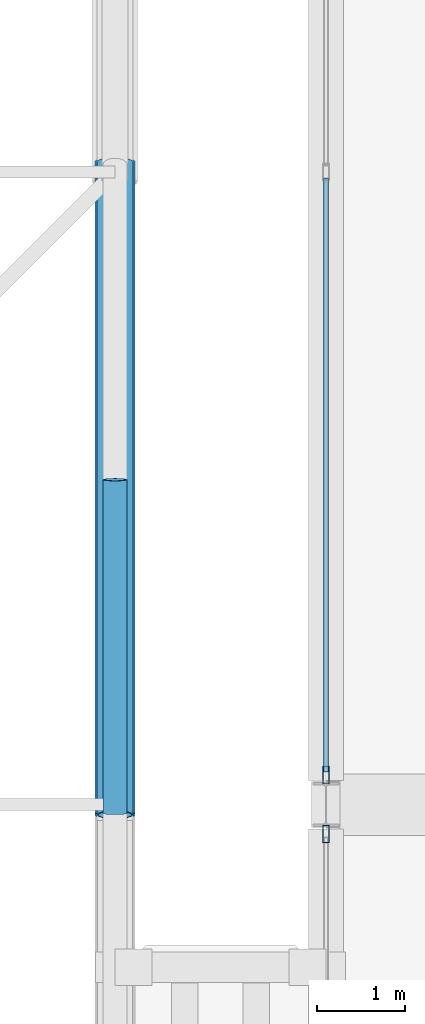
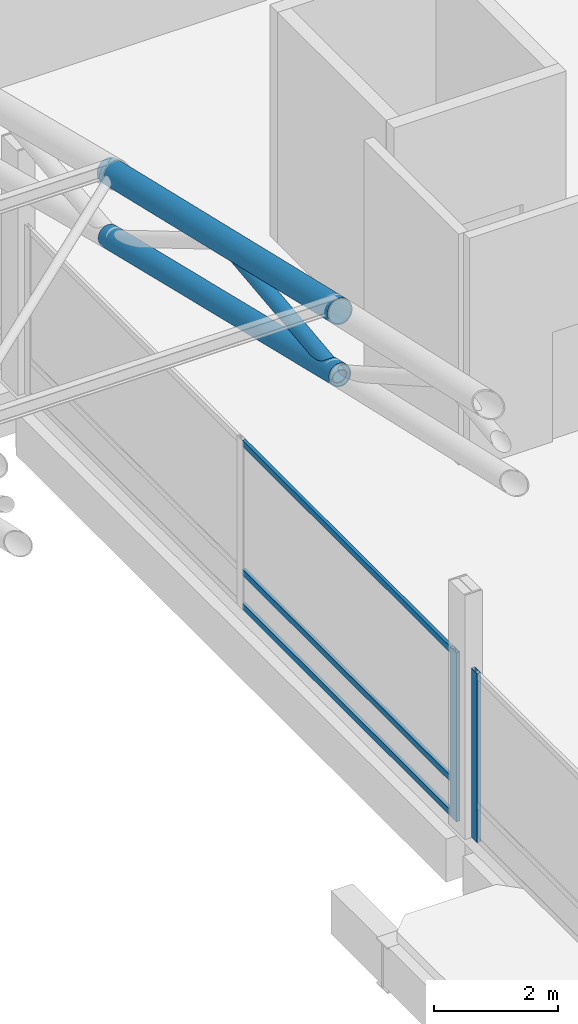
# One storey, part 55 of 193: 8 members, 2 elements without a shape of their own.
"""IFC4 building model written with IfcOpenShell, lengths in metres."""

from ifc_helpers import new_model, si_unit, direction, frame, origin, origin_2d, place, context, subcontext, project, spatial, hollow_rectangle, hollow_circle, extrude, material, material_profile, profile_set, type_object, element, aggregate, save


model = new_model("IFC4")

# Units and contexts
model_context = context("Model", 3, precision=1e-05, world=origin(), true_north=direction((0.0, 1.0)))
body_context = subcontext(model_context, "Body", "Model", "MODEL_VIEW")
ifc_project = project(units=[si_unit("LENGTHUNIT", "METRE"), si_unit("AREAUNIT", "SQUARE_METRE"), si_unit("VOLUMEUNIT", "CUBIC_METRE"), si_unit("PLANEANGLEUNIT", "RADIAN"), si_unit("MASSUNIT", "GRAM", prefix="KILO")], contexts=[model_context])

# Site, building, storey
site_placement = place(None, origin())
site = spatial("IfcSite", under=ifc_project, at=site_placement, CompositionType="ELEMENT")
building_placement = place(site_placement, origin())
building = spatial("IfcBuilding", under=site, at=building_placement, Name="Cendralis Lancet Convention Centre", CompositionType="ELEMENT")
storey_placement = place(building_placement, frame((0.0, 0.0, 10.199951171875)))
storey = spatial("IfcBuildingStorey", under=building, at=storey_placement, Name="L02", CompositionType="ELEMENT", Elevation=10.199951171875)

# Curtain wall, member
ifc_material_1 = material(Name="Anodised bronze architectural aluminium", Category="aluminium")
curtain_wall_type = type_object("IfcCurtainWallType", Name="ARC-CW-BL01", PredefinedType="USERDEFINED", material=ifc_material_1)
curtain_wall_1_placement = place(storey_placement, origin())
curtain_wall_1 = element("IfcCurtainWall", 1, at=curtain_wall_1_placement, inside=storey, type_object=curtain_wall_type, Name="L02 Curtain Wall CW-BL1 #157", ObjectType="CURTAIN WALL", PredefinedType="USERDEFINED")
ifc_material_profile_1 = material_profile(ifc_material_1, hollow_rectangle(XDim=0.070068359375, YDim=0.199951171875, WallThickness=0.0048828125, at=origin_2d()), Name="AL-MULL 70x200x5.0")
ifc_profile_set_1 = profile_set([ifc_material_profile_1], Name="Anodised bronze architectural aluminium")
member_type_1 = type_object("IfcMemberType", Name="ARC-CW-ML02", PredefinedType="MULLION", material=ifc_profile_set_1)
member_1_placement = place(storey_placement, frame((124.800048828125, 107.6650390625, 0.0), z_axis=(0.0, 0.0, 1.0), x_axis=(1.0, 0.0, 0.0)))
member_1 = element("IfcMember", 2, at=member_1_placement, type_object=member_type_1, Name="Mullion CW2-CW-BL1-L02-157-M2", PredefinedType="MULLION", context=body_context, shape_type="SweptSolid", body=[
    extrude(hollow_rectangle(XDim=0.070068359375, YDim=0.199951171875, WallThickness=0.0048828125, at=origin_2d()), origin(), (0.0, 0.0, 1.0), 3.324951171875),
])
aggregate(curtain_wall_1, [member_1])

# Curtain wall, members
curtain_wall_2_placement = place(storey_placement, origin())
curtain_wall_2 = element("IfcCurtainWall", 3, at=curtain_wall_2_placement, inside=storey, type_object=curtain_wall_type, Name="L02 Curtain Wall CW-BL1 #158", ObjectType="CURTAIN WALL", PredefinedType="USERDEFINED")
member_2_placement = place(storey_placement, frame((124.800048828125, 108.3349609375, 0.0), z_axis=(0.0, 0.0, 1.0), x_axis=(1.0, 0.0, 0.0)))
member_2 = element("IfcMember", 4, at=member_2_placement, type_object=member_type_1, Name="Mullion CW2-CW-BL1-L02-158-M0", PredefinedType="MULLION", context=body_context, shape_type="SweptSolid", body=[
    extrude(hollow_rectangle(XDim=0.070068359375, YDim=0.199951171875, WallThickness=0.0048828125, at=origin_2d()), origin(), (0.0, 0.0, 1.0), 3.324951171875),
])
ifc_material_profile_2 = material_profile(ifc_material_1, hollow_rectangle(XDim=0.06005859375, YDim=0.1201171875, WallThickness=0.00390625, at=origin_2d()), Name="AL-TRAN 60x120x4.0")
ifc_profile_set_2 = profile_set([ifc_material_profile_2], Name="Anodised bronze architectural aluminium")
member_type_2 = type_object("IfcMemberType", Name="ARC-CW-TR01", PredefinedType="USERDEFINED", material=ifc_profile_set_2)
member_3_placement = place(storey_placement, frame((124.800048828125, 108.3701171875, 0.06005859375), z_axis=(0.0, 1.0, 0.0), x_axis=(-1.0, 0.0, 0.0)))
member_3 = element("IfcMember", 5, at=member_3_placement, type_object=member_type_2, Name="Transom CW2-CW-BL1-L02-158-T0BOT", ObjectType="TRANSOM", PredefinedType="USERDEFINED", context=body_context, shape_type="SweptSolid", body=[
    extrude(hollow_rectangle(XDim=0.06005859375, YDim=0.1201171875, WallThickness=0.00390625, at=origin_2d()), origin(), (0.0, 0.0, 1.0), 6.759765625),
])
member_4_placement = place(storey_placement, frame((124.800048828125, 108.3701171875, 0.7314453125), z_axis=(0.0, 1.0, 0.0), x_axis=(-1.0, 0.0, 0.0)))
member_4 = element("IfcMember", 6, at=member_4_placement, type_object=member_type_2, Name="Transom CW2-CW-BL1-L02-158-T0MID", ObjectType="TRANSOM", PredefinedType="USERDEFINED", context=body_context, shape_type="SweptSolid", body=[
    extrude(hollow_rectangle(XDim=0.06005859375, YDim=0.1201171875, WallThickness=0.00390625, at=origin_2d()), origin(), (0.0, 0.0, 1.0), 6.759765625),
])
member_5_placement = place(storey_placement, frame((124.800048828125, 108.3701171875, 3.26513671875), z_axis=(0.0, 1.0, 0.0), x_axis=(-1.0, 0.0, 0.0)))
member_5 = element("IfcMember", 7, at=member_5_placement, type_object=member_type_2, Name="Transom CW2-CW-BL1-L02-158-T0TOP", ObjectType="TRANSOM", PredefinedType="USERDEFINED", context=body_context, shape_type="SweptSolid", body=[
    extrude(hollow_rectangle(XDim=0.06005859375, YDim=0.1201171875, WallThickness=0.00390625, at=origin_2d()), origin(), (0.0, 0.0, 1.0), 6.759765625),
])
aggregate(curtain_wall_2, [member_2, member_3, member_4, member_5])

# Members
ifc_material_2 = material(Name="Steel S355", Category="steel")
ifc_material_profile_3 = material_profile(ifc_material_2, hollow_circle(Radius=0.203125, WallThickness=0.01611328125, at=origin_2d()), Name="CHS 406.4x16.0")
ifc_profile_set_3 = profile_set([ifc_material_profile_3], Name="Steel S355")
member_type_3 = type_object("IfcMemberType", Name="STR-TR-BC01", PredefinedType="CHORD", material=ifc_profile_set_3)
member_6_placement = place(storey_placement, frame((122.39990234375, 107.88330078125, 9.834228515625), z_axis=(0.0, 0.97248347478, -0.232971868002), x_axis=(-1.0, 0.0, 0.0)))
element("IfcMember", 8, at=member_6_placement, inside=storey, type_object=member_type_3, Name="ROOF TRUSS AT-V1-15 Bottom Chord 08", PredefinedType="CHORD", context=body_context, shape_type="SweptSolid", body=[
    extrude(hollow_circle(Radius=0.203125, WallThickness=0.01611328125, at=origin_2d()), origin(), (0.0, 0.0, 1.0), 7.643798828125),
])
ifc_material_profile_4 = material_profile(ifc_material_2, hollow_circle(Radius=0.228515625, WallThickness=0.02001953125, at=origin_2d()), Name="CHS 457.0x20.0")
ifc_profile_set_4 = profile_set([ifc_material_profile_4], Name="Steel S355")
member_type_4 = type_object("IfcMemberType", Name="STR-TR-TC01B", PredefinedType="CHORD", material=ifc_profile_set_4)
member_7_placement = place(storey_placement, frame((122.39990234375, 107.88330078125, 11.084228515625), z_axis=(0.0, 0.973618086595, -0.22818374494), x_axis=(-1.0, 0.0, 0.0)))
element("IfcMember", 9, at=member_7_placement, inside=storey, type_object=member_type_4, Name="ROOF TRUSS AT-V1-15 Top Chord 08", PredefinedType="CHORD", context=body_context, shape_type="SweptSolid", body=[
    extrude(hollow_circle(Radius=0.228515625, WallThickness=0.02001953125, at=origin_2d()), origin(), (0.0, 0.0, 1.0), 7.635009765625),
])
ifc_material_profile_5 = material_profile(ifc_material_2, hollow_circle(Radius=0.136474609375, WallThickness=0.012451171875, at=origin_2d()), Name="CHS 273.0x12.5")
ifc_profile_set_5 = profile_set([ifc_material_profile_5], Name="Steel S355")
member_type_5 = type_object("IfcMemberType", Name="STR-TR-WD01B", PredefinedType="BRACE", material=ifc_profile_set_5)
member_8_placement = place(storey_placement, frame((122.39990234375, 107.900634765625, 9.795166015625), z_axis=(0.0, 0.993677994269, 0.112267732257), x_axis=(-1.0, 0.0, 0.0)))
element("IfcMember", 10, at=member_8_placement, inside=storey, type_object=member_type_5, Name="ROOF TRUSS AT-V1-15 Warren Web 08-0", PredefinedType="BRACE", context=body_context, shape_type="SweptSolid", body=[
    extrude(hollow_circle(Radius=0.136474609375, WallThickness=0.012451171875, at=origin_2d()), origin(), (0.0, 0.0, 1.0), 3.822998046875),
])

save(model, "model.ifc")
